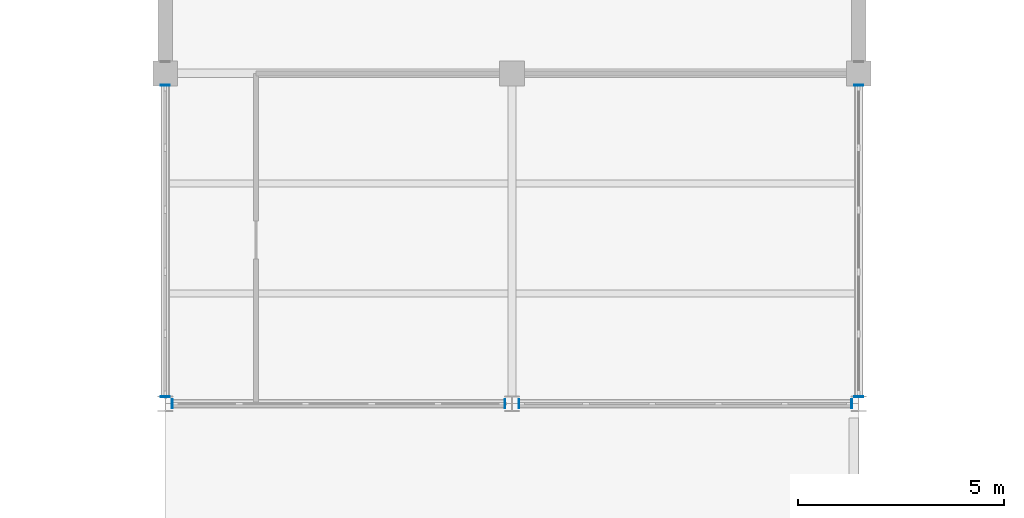
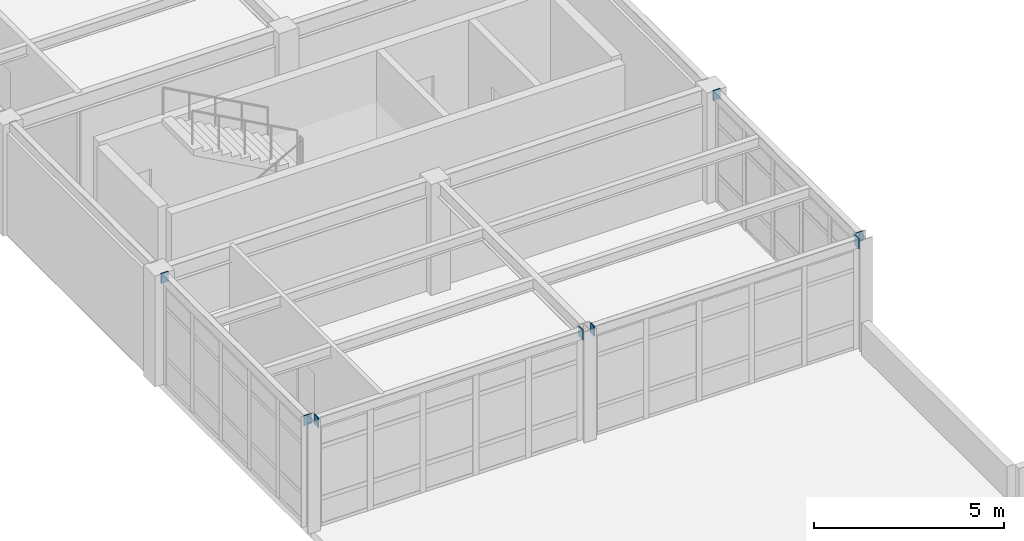
# One storey, part 70 of 96: 8 discrete accessories.
"""IFC4 building model written with IfcOpenShell, lengths in metres."""

import ifcopenshell
import ifcopenshell.guid

model = None  # the IFC model being written
_history = None  # IfcOwnerHistory: only IFC2X3 demands one
_inside = {}  # id of a spatial element -> (the spatial element, [elements in it])
_under = {}  # id of a project, library or spatial element -> (it, [spatial elements below it])
_declared = {}  # id of a project -> (the project, [libraries it declares])
_typed = {}  # id of a type object -> (the type object, [elements of that type])
_made_of = {}  # id of a material, layer set ... -> (it, [elements and type objects made of it])


def new_model(schema):
    """Start an empty IFC model of exactly this schema.

    Asked for "IFC4X3", IfcOpenShell would pick the latest addendum, in which some entities
    have other attributes; the version numbers below select the first issue.
    IFC2X3 requires an IfcOwnerHistory on every rooted entity: one is made here for all.
    """
    global model, _history
    if schema == "IFC4X3":
        model = ifcopenshell.file(schema_version=(4, 3, 0, 0))
    else:
        model = ifcopenshell.file(schema=schema)
    _inside.clear()
    _under.clear()
    _declared.clear()
    _typed.clear()
    _made_of.clear()
    _history = None
    if model.schema == "IFC2X3":
        org = make("IfcOrganization", Name="unknown")
        user = make(
            "IfcPersonAndOrganization",
            ThePerson=make("IfcPerson", FamilyName="unknown"),
            TheOrganization=org,
        )
        app = make(
            "IfcApplication",
            ApplicationDeveloper=org,
            Version="unknown",
            ApplicationFullName="unknown",
            ApplicationIdentifier="unknown",
        )
        _history = make(
            "IfcOwnerHistory",
            OwningUser=user,
            OwningApplication=app,
            ChangeAction="ADDED",
            CreationDate=0,
        )
    return model


def make(cls, **values):
    """One entity of the class cls with the attributes given. An attribute that is None is left unset."""
    return model.create_entity(
        cls, **{name: value for name, value in values.items() if value is not None}
    )


def rooted(cls, **values):
    """An entity with a GlobalId (a new one), such as an element, a storey or a relation."""
    return make(cls, GlobalId=ifcopenshell.guid.new(), OwnerHistory=_history, **values)


def si_unit(unit_type, name, prefix=None):
    """IfcSIUnit, for example si_unit("LENGTHUNIT", "METRE", prefix="MILLI")."""
    return make("IfcSIUnit", UnitType=unit_type, Prefix=prefix, Name=name)


def assignment(units):
    """IfcUnitAssignment: the units of a project."""
    return None if units is None else make("IfcUnitAssignment", Units=units)


def point(xyz):
    """IfcCartesianPoint."""
    return None if xyz is None else make("IfcCartesianPoint", Coordinates=xyz)


def direction(xyz):
    """IfcDirection."""
    return None if xyz is None else make("IfcDirection", DirectionRatios=xyz)


def frame(location, z_axis=None, x_axis=None):
    """IfcAxis2Placement3D, a coordinate frame: its origin and axes. An axis left out is left unset."""
    return make(
        "IfcAxis2Placement3D",
        Location=point(location),
        Axis=direction(z_axis),
        RefDirection=direction(x_axis),
    )


def frame_2d(location, x_axis=None):
    """IfcAxis2Placement2D, a coordinate frame in the plane: its origin and x axis."""
    return make(
        "IfcAxis2Placement2D", Location=point(location), RefDirection=direction(x_axis)
    )


def origin():
    """The frame at (0, 0, 0) with its axes left unset."""
    return frame((0.0, 0.0, 0.0))


def origin_2d():
    """The frame at (0, 0) in the plane with its x axis left unset."""
    return frame_2d((0.0, 0.0))


def place(relative_to, where):
    """IfcLocalPlacement: puts the frame where relative to a parent placement (None: the world)."""
    return make(
        "IfcLocalPlacement", PlacementRelTo=relative_to, RelativePlacement=where
    )


def context(
    kind, dimensions, precision=None, world=None, true_north=None, identifier=None
):
    """IfcGeometricRepresentationContext, for example the 3D "Model" context."""
    return make(
        "IfcGeometricRepresentationContext",
        ContextIdentifier=identifier,
        ContextType=kind,
        CoordinateSpaceDimension=dimensions,
        Precision=precision,
        WorldCoordinateSystem=world,
        TrueNorth=true_north,
    )


def subcontext(parent, identifier, kind, view, scale=None):
    """IfcGeometricRepresentationSubContext, for example "Body" below "Model"."""
    return make(
        "IfcGeometricRepresentationSubContext",
        ContextIdentifier=identifier,
        ContextType=kind,
        ParentContext=parent,
        TargetScale=scale,
        TargetView=view,
    )


def project(units=None, contexts=None):
    """IfcProject with its units and contexts."""
    return rooted(
        "IfcProject",
        Name="project",
        RepresentationContexts=contexts,
        UnitsInContext=assignment(units),
    )


def spatial(cls, under=None, at=None, **own):
    """A site, building, storey or space (cls), placed at a placement, below another one or the project."""
    s = rooted(cls, ObjectPlacement=at, **own)
    if under is not None:
        _under.setdefault(under.id(), (under, []))[1].append(s)
    return s


def profile(cls, at=None, kind="AREA", **sizes):
    """A parametric profile (cls). Its sizes go by their IFC names, for example OverallWidth=200.0."""
    return make(cls, ProfileType=kind, Position=at, **sizes)


def rectangle(**sizes):
    """IfcRectangleProfileDef."""
    return profile("IfcRectangleProfileDef", **sizes)


def extrude(swept, where, along, depth):
    """IfcExtrudedAreaSolid: the profile swept, set in the frame where, extruded along a direction by depth."""
    return make(
        "IfcExtrudedAreaSolid",
        SweptArea=swept,
        Position=where,
        ExtrudedDirection=direction(along),
        Depth=depth,
    )


def shape(context_of_items, identifier, shape_type, items):
    """IfcShapeRepresentation: the items that make up one representation, for example the "Body"."""
    return make(
        "IfcShapeRepresentation",
        ContextOfItems=context_of_items,
        RepresentationIdentifier=identifier,
        RepresentationType=shape_type,
        Items=items,
    )


def material(Name=None, Category=None):
    """IfcMaterial."""
    return make("IfcMaterial", Name=Name, Category=Category)


def layer(
    of_material, thickness, ventilated=None, Name=None, Category=None, Priority=None
):
    """IfcMaterialLayer: one layer of a wall or slab, of a material (None: an air gap)."""
    return make(
        "IfcMaterialLayer",
        Material=of_material,
        LayerThickness=thickness,
        IsVentilated=ventilated,
        Name=Name,
        Category=Category,
        Priority=Priority,
    )


def layer_set(layers, Name=None):
    """IfcMaterialLayerSet."""
    return make("IfcMaterialLayerSet", MaterialLayers=layers, LayerSetName=Name)


def made_of(thing, what):
    """Note that an element or type object is made of a material, layer set ...; save() writes the relation."""
    if what is not None:
        _made_of.setdefault(what.id(), (what, []))[1].append(thing)
    return thing


def type_object(cls, material=None, **own):
    """A type object (cls), such as IfcWallType, which elements share."""
    return made_of(rooted(cls, **own), material)


def element(
    cls,
    number,
    at=None,
    inside=None,
    cuts=None,
    type_object=None,
    material=None,
    context=None,
    identifier="Body",
    shape_type=None,
    held_by="IfcProductDefinitionShape",
    body=None,
    shapes=None,
    **own,
):
    """One element of the class cls, such as IfcWall. Its Tag is "e" and its number.

    at: its placement. inside: the storey or other place that contains it. cuts: it is an
    opening in that element (IfcRelVoidsElement). A single representation is given by context,
    identifier, shape_type and body (its items); several are given by shapes. held_by: the class
    of the entity that holds the representations. save() writes the other relations.
    """
    e = rooted(cls, Tag="e%d" % number, ObjectPlacement=at, **own)
    if body is not None:
        shapes = [shape(context, identifier, shape_type, body)]
    if shapes is not None:
        e.Representation = make(held_by, Representations=shapes)
    if inside is not None:
        _inside.setdefault(inside.id(), (inside, []))[1].append(e)
    if cuts is not None:
        rooted(
            "IfcRelVoidsElement", RelatingBuildingElement=cuts, RelatedOpeningElement=e
        )
    if type_object is not None:
        _typed.setdefault(type_object.id(), (type_object, []))[1].append(e)
    return made_of(e, material)


def aggregate(whole, parts):
    """IfcRelAggregates: a whole, such as a stair, and the parts it consists of."""
    return rooted("IfcRelAggregates", RelatingObject=whole, RelatedObjects=parts)


def save(model, path):
    """Write the relations noted so far, then the file.

    IfcRelAggregates (storeys below a building ...), IfcRelContainedInSpatialStructure (elements
    in a storey), IfcRelDefinesByType, IfcRelAssociatesMaterial and IfcRelDeclares: one each for
    every whole, place, type object, material and project.
    """
    for whole, parts in _under.values():
        aggregate(whole, parts)
    for where, things in _inside.values():
        rooted(
            "IfcRelContainedInSpatialStructure",
            RelatedElements=things,
            RelatingStructure=where,
        )
    for kind, things in _typed.values():
        rooted("IfcRelDefinesByType", RelatedObjects=things, RelatingType=kind)
    for what, things in _made_of.values():
        rooted("IfcRelAssociatesMaterial", RelatedObjects=things, RelatingMaterial=what)
    for by, libraries in _declared.values():
        rooted("IfcRelDeclares", RelatingContext=by, RelatedDefinitions=libraries)
    model.write(path)


model = new_model("IFC4")

# Units and contexts
model_context = context("Model", 3, precision=1e-05, world=origin(), true_north=direction((0.0, 1.0)))
body_context = subcontext(model_context, "Body", "Model", "MODEL_VIEW")
ifc_project = project(units=[si_unit("LENGTHUNIT", "METRE"), si_unit("AREAUNIT", "SQUARE_METRE"), si_unit("VOLUMEUNIT", "CUBIC_METRE"), si_unit("PLANEANGLEUNIT", "RADIAN"), si_unit("MASSUNIT", "GRAM", prefix="KILO")], contexts=[model_context])

# Site, building, storey
site_placement = place(None, origin())
site = spatial("IfcSite", under=ifc_project, at=site_placement, CompositionType="ELEMENT")
building_placement = place(site_placement, origin())
building = spatial("IfcBuilding", under=site, at=building_placement, Name="Kranzveld Transit Interchange", CompositionType="ELEMENT")
storey_placement = place(building_placement, frame((0.0, 0.0, 9.52001953125)))
storey = spatial("IfcBuildingStorey", under=building, at=storey_placement, Name="L02", CompositionType="ELEMENT", Elevation=9.52001953125)

# Discrete accessories
ifc_material = material(Name="Steel S355JR", Category="steel")
ifc_layer = layer(ifc_material, 0.02001953125)
ifc_layer_set = layer_set([ifc_layer], Name="Steel S355JR")
discrete_accessory_type = type_object("IfcDiscreteAccessoryType", Name="Hollow Section End Cap Bracket 20 S355JR", PredefinedType="BRACKET", material=ifc_layer_set)
for number, where, z_axis, x_axis, name in (
    (1, (100.981201171875, 64.0, 3.419921875), (-1.0, 0.0, 0.0), (0.0, -1.0, 0.0), "Hollow Section End Cap SP-RHS300-1"),
    (2, (109.018798828125, 64.0, 3.419921875), (1.0, 0.0, 0.0), (0.0, 1.0, 0.0), "Hollow Section End Cap SP-RHS300-2"),
    (3, (109.38134765625, 64.0, 3.419921875), (-1.0, 0.0, 0.0), (0.0, -1.0, 0.0), "Hollow Section End Cap SP-RHS300-1"),
    (4, (117.418701171875, 64.0, 3.419921875), (1.0, 0.0, 0.0), (0.0, 1.0, 0.0), "Hollow Section End Cap SP-RHS300-2"),
    (5, (100.800048828125, 64.181396484375, 3.419921875), (0.0, -1.0, 0.0), (1.0, 0.0, 0.0), "Hollow Section End Cap SP-RHS300-1"),
    (6, (100.800048828125, 71.7060546875, 3.419921875), (0.0, 1.0, 0.0), (-1.0, 0.0, 0.0), "Hollow Section End Cap SP-RHS300-2"),
    (7, (117.60009765625, 64.181396484375, 3.419921875), (0.0, -1.0, 0.0), (1.0, 0.0, 0.0), "Hollow Section End Cap SP-RHS300-1"),
    (8, (117.60009765625, 71.7060546875, 3.419921875), (0.0, 1.0, 0.0), (-1.0, 0.0, 0.0), "Hollow Section End Cap SP-RHS300-2"),
):
    element("IfcDiscreteAccessory", number, at=place(storey_placement, frame(where, z_axis=z_axis, x_axis=x_axis)), inside=storey, type_object=discrete_accessory_type, Name=name, PredefinedType="BRACKET", context=body_context, shape_type="SweptSolid", body=[
        extrude(rectangle(XDim=0.22412109375, YDim=0.323974609375, at=origin_2d()), origin(), (0.0, 0.0, 1.0), 0.02001953125),
    ])

save(model, "model.ifc")
